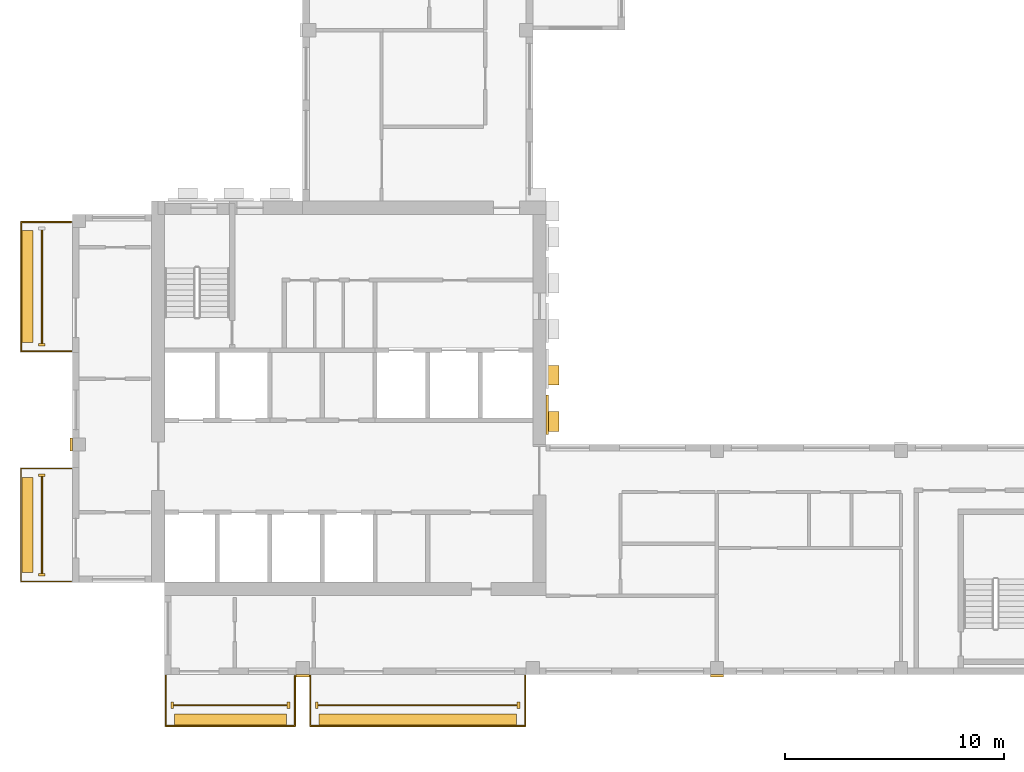
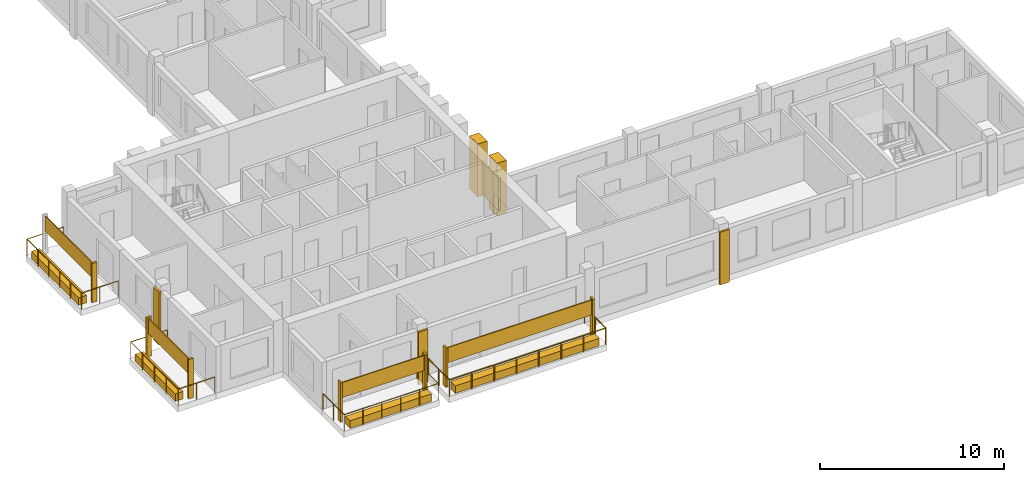
# One storey, part 7 of 10: 21 coverings, 4 railings.
"""IFC4 building model written with IfcOpenShell, lengths in metres."""

from ifc_helpers import new_model, si_unit, direction, frame, origin, origin_2d, place, context, subcontext, project, spatial, rectangle, circle, extrude, source, transform, mapped, material, type_object, element, save


model = new_model("IFC4")

# Units and contexts
model_context = context("Model", 3, precision=1e-05, world=origin(), true_north=direction((0.0, 1.0)))
body_context = subcontext(model_context, "Body", "Model", "MODEL_VIEW")
ifc_project = project(units=[si_unit("LENGTHUNIT", "METRE"), si_unit("AREAUNIT", "SQUARE_METRE"), si_unit("VOLUMEUNIT", "CUBIC_METRE"), si_unit("PLANEANGLEUNIT", "RADIAN"), si_unit("MASSUNIT", "GRAM", prefix="KILO")], contexts=[model_context])

# Site, building, storey
site_placement = place(None, origin())
site = spatial("IfcSite", under=ifc_project, at=site_placement, CompositionType="ELEMENT")
building_placement = place(site_placement, origin())
building = spatial("IfcBuilding", under=site, at=building_placement, Name="Aurelian Terraces", CompositionType="ELEMENT")
storey_placement = place(building_placement, frame((0.0, 0.0, 354.5)))
storey = spatial("IfcBuildingStorey", under=building, at=storey_placement, Name="L84", CompositionType="ELEMENT", Elevation=354.5)

# Coverings
ifc_material_1 = material(Name="Terracotta rainscreen cladding relief", Category="masonry")
covering_type_1 = type_object("IfcCoveringType", Name="FIN-TC", PredefinedType="CLADDING", material=ifc_material_1)
shared_shape_1 = source(origin(), body_context, "Body", "SweptSolid", [
    extrude(rectangle(XDim=0.3, YDim=0.12, at=origin_2d()), origin(), (0.0, 0.0, 1.0), 2.6),
])
for number, where, z_axis, x_axis, name in (
    (1, (-1.4, 15.05, 0.0), (0.0, 0.0, 1.0), (1.0, 0.0, 0.0), "FIN L84 L84-F12-20.2"),
    (2, (-1.4, 9.1, 0.0), (0.0, 0.0, 1.0), (1.0, 0.0, 0.0), "FIN L84 L84-F12-22.1"),
    (3, (-1.4, 4.55, 0.0), (0.0, 0.0, 1.0), (1.0, 0.0, 0.0), "FIN L84 L84-F12-22.2"),
):
    element("IfcCovering", number, at=place(storey_placement, frame(where, z_axis=z_axis, x_axis=x_axis)), inside=storey, type_object=covering_type_1, Name=name, PredefinedType="CLADDING", context=body_context, shape_type="MappedRepresentation", body=[
        mapped(shared_shape_1, transform((0.0, 0.0, 0.0), scale=1.0)),
    ])
shared_shape_2 = source(origin(), body_context, "Body", "SweptSolid", [
    extrude(rectangle(XDim=0.12, YDim=0.3, at=origin_2d()), origin(), (0.0, 0.0, 1.0), 2.6),
])
for number, where, z_axis, x_axis, name in (
    (4, (4.55, -1.4, 0.0), (0.0, 0.0, 1.0), (1.0, 0.0, 0.0), "FIN L84 L84-F01-01.1"),
    (5, (9.85, -1.4, 0.0), (0.0, 0.0, 1.0), (1.0, 0.0, 0.0), "FIN L84 L84-F01-01.2"),
    (6, (11.15, -1.4, 0.0), (0.0, 0.0, 1.0), (1.0, 0.0, 0.0), "FIN L84 L84-F01-02.1"),
    (7, (20.35, -1.4, 0.0), (0.0, 0.0, 1.0), (1.0, 0.0, 0.0), "FIN L84 L84-F01-02.2"),
):
    element("IfcCovering", number, at=place(storey_placement, frame(where, z_axis=z_axis, x_axis=x_axis)), inside=storey, type_object=covering_type_1, Name=name, PredefinedType="CLADDING", context=body_context, shape_type="MappedRepresentation", body=[
        mapped(shared_shape_2, transform((0.0, 0.0, 0.0), scale=1.0)),
    ])

# Railing
ifc_material_2 = material(Name="Anodised aluminium", Category="aluminium")
railing_type = type_object("IfcRailingType", Name="GUARD-1100", PredefinedType="GUARDRAIL", material=ifc_material_2)
shared_shape_3 = source(origin(), body_context, "Body", "SweptSolid", [
    extrude(circle(Radius=0.024, at=origin_2d()), frame((0.0, 0.0, 1.076), z_axis=(-1.0, 0.0, 0.0), x_axis=(0.0, -1.0, 0.0)), (0.0, 0.0, 1.0), 2.3),
    extrude(circle(Radius=0.024, at=origin_2d()), frame((-2.3, 0.0, 1.076), z_axis=(0.0, -1.0, 0.0), x_axis=(1.0, 0.0, 0.0)), (0.0, 0.0, 1.0), 5.15),
    extrude(circle(Radius=0.024, at=origin_2d()), frame((-2.3, -5.15, 1.076), z_axis=(1.0, 0.0, 0.0), x_axis=(0.0, 1.0, 0.0)), (0.0, 0.0, 1.0), 2.3),
    extrude(circle(Radius=0.021, at=origin_2d()), origin(), (0.0, 0.0, 1.0), 1.052),
    extrude(circle(Radius=0.021, at=origin_2d()), frame((-1.15, 0.0, 0.0)), (0.0, 0.0, 1.0), 1.052),
    extrude(circle(Radius=0.021, at=origin_2d()), frame((-2.3, 0.0, 0.0)), (0.0, 0.0, 1.0), 1.052),
    extrude(circle(Radius=0.021, at=origin_2d()), frame((-2.3, -1.2875, 0.0)), (0.0, 0.0, 1.0), 1.052),
    extrude(circle(Radius=0.021, at=origin_2d()), frame((-2.3, -2.575, 0.0)), (0.0, 0.0, 1.0), 1.052),
    extrude(circle(Radius=0.021, at=origin_2d()), frame((-2.3, -3.8625, 0.0)), (0.0, 0.0, 1.0), 1.052),
    extrude(circle(Radius=0.021, at=origin_2d()), frame((-2.3, -5.15, 0.0)), (0.0, 0.0, 1.0), 1.052),
    extrude(circle(Radius=0.021, at=origin_2d()), frame((-1.15, -5.15, 0.0)), (0.0, 0.0, 1.0), 1.052),
    extrude(circle(Radius=0.021, at=origin_2d()), frame((0.0, -5.15, 0.0)), (0.0, 0.0, 1.0), 1.052),
])
railing_1_placement = place(storey_placement, frame((-0.05, 9.4, 0.0)))
element("IfcRailing", 8, at=railing_1_placement, inside=storey, type_object=railing_type, Name="Balcony guard L84 F12.22", PredefinedType="GUARDRAIL", context=body_context, shape_type="MappedRepresentation", body=[
    mapped(shared_shape_3, transform((0.0, 0.0, 0.0), scale=1.0)),
])

# Coverings
ifc_material_3 = material(Name="Terracotta planter with planting soil", Category="masonry")
covering_type_2 = type_object("IfcCoveringType", Name="PLANTER-TROUGH", PredefinedType="USERDEFINED", material=ifc_material_3)
shared_shape_4 = source(origin(), body_context, "Body", "SweptSolid", [
    extrude(rectangle(XDim=0.5, YDim=4.35, at=origin_2d()), origin(), (0.0, 0.0, 1.0), 0.5),
])
covering_1_placement = place(storey_placement, frame((-2.05, 6.825, 0.0), z_axis=(0.0, 0.0, 1.0), x_axis=(1.0, 0.0, 0.0)))
element("IfcCovering", 9, at=covering_1_placement, inside=storey, type_object=covering_type_2, Name="PLANTER L84 L84-F12-22", ObjectType="PLANTER", PredefinedType="USERDEFINED", context=body_context, shape_type="MappedRepresentation", body=[
    mapped(shared_shape_4, transform((0.0, 0.0, 0.0), scale=1.0)),
])
ifc_material_4 = material(Name="Terracotta rainscreen cladding", Category="masonry")
covering_type_3 = type_object("IfcCoveringType", Name="SCREEN-TC", PredefinedType="CLADDING", material=ifc_material_4)
shared_shape_5 = source(origin(), body_context, "Body", "SweptSolid", [
    extrude(rectangle(XDim=0.06, YDim=4.43, at=origin_2d()), origin(), (0.0, 0.0, 1.0), 1.0),
])
covering_2_placement = place(storey_placement, frame((-1.4, 6.825, 1.5), z_axis=(0.0, 0.0, 1.0), x_axis=(1.0, 0.0, 0.0)))
element("IfcCovering", 10, at=covering_2_placement, inside=storey, type_object=covering_type_3, Name="SCREEN L84 L84-F12-22", PredefinedType="CLADDING", context=body_context, shape_type="MappedRepresentation", body=[
    mapped(shared_shape_5, transform((0.0, 0.0, 0.0), scale=1.0)),
])
ifc_material_5 = material(Name="Terracotta rainscreen cladding louvre blades", Category="masonry")
covering_type_4 = type_object("IfcCoveringType", Name="LOUVRE-TC", PredefinedType="CLADDING", material=ifc_material_5)
shared_shape_6 = source(origin(), body_context, "Body", "SweptSolid", [
    extrude(rectangle(XDim=0.12, YDim=1.8, at=origin_2d()), origin(), (0.0, 0.0, 1.0), 2.2),
])
covering_3_placement = place(storey_placement, frame((21.66, 11.85, 0.45), z_axis=(0.0, 0.0, 1.0), x_axis=(1.0, 0.0, 0.0)))
element("IfcCovering", 11, at=covering_3_placement, inside=storey, type_object=covering_type_4, Name="LOUVRE L84 core face E.1", PredefinedType="CLADDING", context=body_context, shape_type="MappedRepresentation", body=[
    mapped(shared_shape_6, transform((0.0, 0.0, 0.0), scale=1.0)),
])
covering_type_5 = type_object("IfcCoveringType", Name="BAGUETTE-TC", PredefinedType="CLADDING", material=ifc_material_1)
shared_shape_7 = source(origin(), body_context, "Body", "SweptSolid", [
    extrude(rectangle(XDim=0.6, YDim=0.12, at=origin_2d()), origin(), (0.0, 0.0, 1.0), 3.5),
])
for number, where, z_axis, x_axis, name in (
    (12, (10.5, -0.06, -0.4), (0.0, 0.0, 1.0), (1.0, 0.0, 0.0), "BAGUETTE pier L84 1"),
    (13, (29.4, -0.06, -0.4), (0.0, 0.0, 1.0), (1.0, 0.0, 0.0), "BAGUETTE pier L84 2"),
):
    element("IfcCovering", number, at=place(storey_placement, frame(where, z_axis=z_axis, x_axis=x_axis)), inside=storey, type_object=covering_type_5, Name=name, PredefinedType="CLADDING", context=body_context, shape_type="MappedRepresentation", body=[
        mapped(shared_shape_7, transform((0.0, 0.0, 0.0), scale=1.0)),
    ])
shared_shape_8 = source(origin(), body_context, "Body", "SweptSolid", [
    extrude(rectangle(XDim=0.12, YDim=0.6, at=origin_2d()), origin(), (0.0, 0.0, 1.0), 3.5),
])
covering_4_placement = place(storey_placement, frame((-0.06, 10.5, -0.4), z_axis=(0.0, 0.0, 1.0), x_axis=(1.0, 0.0, 0.0)))
element("IfcCovering", 14, at=covering_4_placement, inside=storey, type_object=covering_type_5, Name="BAGUETTE pier L84 5", PredefinedType="CLADDING", context=body_context, shape_type="MappedRepresentation", body=[
    mapped(shared_shape_8, transform((0.0, 0.0, 0.0), scale=1.0)),
])

# Railing
shared_shape_9 = source(origin(), body_context, "Body", "SweptSolid", [
    extrude(circle(Radius=0.024, at=origin_2d()), frame((0.0, 0.0, 1.076), z_axis=(0.0, -1.0, 0.0), x_axis=(1.0, 0.0, 0.0)), (0.0, 0.0, 1.0), 2.3),
    extrude(circle(Radius=0.024, at=origin_2d()), frame((0.0, -2.3, 1.076), z_axis=(1.0, 0.0, 0.0), x_axis=(0.0, 1.0, 0.0)), (0.0, 0.0, 1.0), 5.9),
    extrude(circle(Radius=0.024, at=origin_2d()), frame((5.9, -2.3, 1.076), z_axis=(0.0, 1.0, 0.0), x_axis=(-1.0, 0.0, 0.0)), (0.0, 0.0, 1.0), 2.3),
    extrude(circle(Radius=0.021, at=origin_2d()), origin(), (0.0, 0.0, 1.0), 1.052),
    extrude(circle(Radius=0.021, at=origin_2d()), frame((0.0, -1.15, 0.0)), (0.0, 0.0, 1.0), 1.052),
    extrude(circle(Radius=0.021, at=origin_2d()), frame((0.0, -2.3, 0.0)), (0.0, 0.0, 1.0), 1.052),
    extrude(circle(Radius=0.021, at=origin_2d()), frame((1.18, -2.3, 0.0)), (0.0, 0.0, 1.0), 1.052),
    extrude(circle(Radius=0.021, at=origin_2d()), frame((2.36, -2.3, 0.0)), (0.0, 0.0, 1.0), 1.052),
    extrude(circle(Radius=0.021, at=origin_2d()), frame((3.54, -2.3, 0.0)), (0.0, 0.0, 1.0), 1.052),
    extrude(circle(Radius=0.021, at=origin_2d()), frame((4.72, -2.3, 0.0)), (0.0, 0.0, 1.0), 1.052),
    extrude(circle(Radius=0.021, at=origin_2d()), frame((5.9, -2.3, 0.0)), (0.0, 0.0, 1.0), 1.052),
    extrude(circle(Radius=0.021, at=origin_2d()), frame((5.9, -1.15, 0.0)), (0.0, 0.0, 1.0), 1.052),
    extrude(circle(Radius=0.021, at=origin_2d()), frame((5.9, 0.0, 0.0)), (0.0, 0.0, 1.0), 1.052),
])
railing_2_placement = place(storey_placement, frame((4.25, -0.05, 0.0)))
element("IfcRailing", 15, at=railing_2_placement, inside=storey, type_object=railing_type, Name="Balcony guard L84 F01.1", PredefinedType="GUARDRAIL", context=body_context, shape_type="MappedRepresentation", body=[
    mapped(shared_shape_9, transform((0.0, 0.0, 0.0), scale=1.0)),
])

# Coverings
shared_shape_10 = source(origin(), body_context, "Body", "SweptSolid", [
    extrude(rectangle(XDim=5.1, YDim=0.5, at=origin_2d()), origin(), (0.0, 0.0, 1.0), 0.5),
])
covering_5_placement = place(storey_placement, frame((7.2, -2.05, 0.0), z_axis=(0.0, 0.0, 1.0), x_axis=(1.0, 0.0, 0.0)))
element("IfcCovering", 16, at=covering_5_placement, inside=storey, type_object=covering_type_2, Name="PLANTER L84 L84-F01-01", ObjectType="PLANTER", PredefinedType="USERDEFINED", context=body_context, shape_type="MappedRepresentation", body=[
    mapped(shared_shape_10, transform((0.0, 0.0, 0.0), scale=1.0)),
])
shared_shape_11 = source(origin(), body_context, "Body", "SweptSolid", [
    extrude(rectangle(XDim=5.18, YDim=0.06, at=origin_2d()), origin(), (0.0, 0.0, 1.0), 1.0),
])
covering_6_placement = place(storey_placement, frame((7.2, -1.4, 1.5), z_axis=(0.0, 0.0, 1.0), x_axis=(1.0, 0.0, 0.0)))
element("IfcCovering", 17, at=covering_6_placement, inside=storey, type_object=covering_type_3, Name="SCREEN L84 L84-F01-01", PredefinedType="CLADDING", context=body_context, shape_type="MappedRepresentation", body=[
    mapped(shared_shape_11, transform((0.0, 0.0, 0.0), scale=1.0)),
])

# Railing
shared_shape_12 = source(origin(), body_context, "Body", "SweptSolid", [
    extrude(circle(Radius=0.024, at=origin_2d()), frame((0.0, 0.0, 1.076), z_axis=(0.0, -1.0, 0.0), x_axis=(1.0, 0.0, 0.0)), (0.0, 0.0, 1.0), 2.3),
    extrude(circle(Radius=0.024, at=origin_2d()), frame((0.0, -2.3, 1.076), z_axis=(1.0, 0.0, 0.0), x_axis=(0.0, 1.0, 0.0)), (0.0, 0.0, 1.0), 9.8),
    extrude(circle(Radius=0.024, at=origin_2d()), frame((9.8, -2.3, 1.076), z_axis=(0.0, 1.0, 0.0), x_axis=(-1.0, 0.0, 0.0)), (0.0, 0.0, 1.0), 2.3),
    extrude(circle(Radius=0.021, at=origin_2d()), origin(), (0.0, 0.0, 1.0), 1.052),
    extrude(circle(Radius=0.021, at=origin_2d()), frame((0.0, -1.15, 0.0)), (0.0, 0.0, 1.0), 1.052),
    extrude(circle(Radius=0.021, at=origin_2d()), frame((0.0, -2.3, 0.0)), (0.0, 0.0, 1.0), 1.052),
    extrude(circle(Radius=0.021, at=origin_2d()), frame((1.4, -2.3, 0.0)), (0.0, 0.0, 1.0), 1.052),
    extrude(circle(Radius=0.021, at=origin_2d()), frame((2.8, -2.3, 0.0)), (0.0, 0.0, 1.0), 1.052),
    extrude(circle(Radius=0.021, at=origin_2d()), frame((4.2, -2.3, 0.0)), (0.0, 0.0, 1.0), 1.052),
    extrude(circle(Radius=0.021, at=origin_2d()), frame((5.6, -2.3, 0.0)), (0.0, 0.0, 1.0), 1.052),
    extrude(circle(Radius=0.021, at=origin_2d()), frame((7.0, -2.3, 0.0)), (0.0, 0.0, 1.0), 1.052),
    extrude(circle(Radius=0.021, at=origin_2d()), frame((8.4, -2.3, 0.0)), (0.0, 0.0, 1.0), 1.052),
    extrude(circle(Radius=0.021, at=origin_2d()), frame((9.8, -2.3, 0.0)), (0.0, 0.0, 1.0), 1.052),
    extrude(circle(Radius=0.021, at=origin_2d()), frame((9.8, -1.15, 0.0)), (0.0, 0.0, 1.0), 1.052),
    extrude(circle(Radius=0.021, at=origin_2d()), frame((9.8, 0.0, 0.0)), (0.0, 0.0, 1.0), 1.052),
])
railing_3_placement = place(storey_placement, frame((10.85, -0.05, 0.0)))
element("IfcRailing", 18, at=railing_3_placement, inside=storey, type_object=railing_type, Name="Balcony guard L84 F01.2", PredefinedType="GUARDRAIL", context=body_context, shape_type="MappedRepresentation", body=[
    mapped(shared_shape_12, transform((0.0, 0.0, 0.0), scale=1.0)),
])

# Coverings
shared_shape_13 = source(origin(), body_context, "Body", "SweptSolid", [
    extrude(rectangle(XDim=9.0, YDim=0.5, at=origin_2d()), origin(), (0.0, 0.0, 1.0), 0.5),
])
covering_7_placement = place(storey_placement, frame((15.75, -2.05, 0.0), z_axis=(0.0, 0.0, 1.0), x_axis=(1.0, 0.0, 0.0)))
element("IfcCovering", 19, at=covering_7_placement, inside=storey, type_object=covering_type_2, Name="PLANTER L84 L84-F01-02", ObjectType="PLANTER", PredefinedType="USERDEFINED", context=body_context, shape_type="MappedRepresentation", body=[
    mapped(shared_shape_13, transform((0.0, 0.0, 0.0), scale=1.0)),
])
shared_shape_14 = source(origin(), body_context, "Body", "SweptSolid", [
    extrude(rectangle(XDim=9.08, YDim=0.06, at=origin_2d()), origin(), (0.0, 0.0, 1.0), 1.0),
])
covering_8_placement = place(storey_placement, frame((15.75, -1.4, 1.5), z_axis=(0.0, 0.0, 1.0), x_axis=(1.0, 0.0, 0.0)))
element("IfcCovering", 20, at=covering_8_placement, inside=storey, type_object=covering_type_3, Name="SCREEN L84 L84-F01-02", PredefinedType="CLADDING", context=body_context, shape_type="MappedRepresentation", body=[
    mapped(shared_shape_14, transform((0.0, 0.0, 0.0), scale=1.0)),
])

# Railing
shared_shape_15 = source(origin(), body_context, "Body", "SweptSolid", [
    extrude(circle(Radius=0.024, at=origin_2d()), frame((0.0, 0.0, 1.076), z_axis=(-1.0, 0.0, 0.0), x_axis=(0.0, -1.0, 0.0)), (0.0, 0.0, 1.0), 2.3),
    extrude(circle(Radius=0.024, at=origin_2d()), frame((-2.3, 0.0, 1.076), z_axis=(0.0, -1.0, 0.0), x_axis=(1.0, 0.0, 0.0)), (0.0, 0.0, 1.0), 5.9),
    extrude(circle(Radius=0.024, at=origin_2d()), frame((-2.3, -5.9, 1.076), z_axis=(1.0, 0.0, 0.0), x_axis=(0.0, 1.0, 0.0)), (0.0, 0.0, 1.0), 2.3),
    extrude(circle(Radius=0.021, at=origin_2d()), origin(), (0.0, 0.0, 1.0), 1.052),
    extrude(circle(Radius=0.021, at=origin_2d()), frame((-1.15, 0.0, 0.0)), (0.0, 0.0, 1.0), 1.052),
    extrude(circle(Radius=0.021, at=origin_2d()), frame((-2.3, 0.0, 0.0)), (0.0, 0.0, 1.0), 1.052),
    extrude(circle(Radius=0.021, at=origin_2d()), frame((-2.3, -1.18, 0.0)), (0.0, 0.0, 1.0), 1.052),
    extrude(circle(Radius=0.021, at=origin_2d()), frame((-2.3, -2.36, 0.0)), (0.0, 0.0, 1.0), 1.052),
    extrude(circle(Radius=0.021, at=origin_2d()), frame((-2.3, -3.54, 0.0)), (0.0, 0.0, 1.0), 1.052),
    extrude(circle(Radius=0.021, at=origin_2d()), frame((-2.3, -4.72, 0.0)), (0.0, 0.0, 1.0), 1.052),
    extrude(circle(Radius=0.021, at=origin_2d()), frame((-2.3, -5.9, 0.0)), (0.0, 0.0, 1.0), 1.052),
    extrude(circle(Radius=0.021, at=origin_2d()), frame((-1.15, -5.9, 0.0)), (0.0, 0.0, 1.0), 1.052),
    extrude(circle(Radius=0.021, at=origin_2d()), frame((0.0, -5.9, 0.0)), (0.0, 0.0, 1.0), 1.052),
])
railing_4_placement = place(storey_placement, frame((-0.05, 20.65, 0.0)))
element("IfcRailing", 21, at=railing_4_placement, inside=storey, type_object=railing_type, Name="Balcony guard L84 F12.20", PredefinedType="GUARDRAIL", context=body_context, shape_type="MappedRepresentation", body=[
    mapped(shared_shape_15, transform((0.0, 0.0, 0.0), scale=1.0)),
])

# Coverings
shared_shape_16 = source(origin(), body_context, "Body", "SweptSolid", [
    extrude(rectangle(XDim=0.5, YDim=5.1, at=origin_2d()), origin(), (0.0, 0.0, 1.0), 0.5),
])
covering_9_placement = place(storey_placement, frame((-2.05, 17.7, 0.0), z_axis=(0.0, 0.0, 1.0), x_axis=(1.0, 0.0, 0.0)))
element("IfcCovering", 22, at=covering_9_placement, inside=storey, type_object=covering_type_2, Name="PLANTER L84 L84-F12-20", ObjectType="PLANTER", PredefinedType="USERDEFINED", context=body_context, shape_type="MappedRepresentation", body=[
    mapped(shared_shape_16, transform((0.0, 0.0, 0.0), scale=1.0)),
])
shared_shape_17 = source(origin(), body_context, "Body", "SweptSolid", [
    extrude(rectangle(XDim=0.06, YDim=5.18, at=origin_2d()), origin(), (0.0, 0.0, 1.0), 1.0),
])
covering_10_placement = place(storey_placement, frame((-1.4, 17.7, 1.5), z_axis=(0.0, 0.0, 1.0), x_axis=(1.0, 0.0, 0.0)))
element("IfcCovering", 23, at=covering_10_placement, inside=storey, type_object=covering_type_3, Name="SCREEN L84 L84-F12-20", PredefinedType="CLADDING", context=body_context, shape_type="MappedRepresentation", body=[
    mapped(shared_shape_17, transform((0.0, 0.0, 0.0), scale=1.0)),
])
covering_type_6 = type_object("IfcCoveringType", Name="Core spine pier 900x600", PredefinedType="CLADDING", material=ifc_material_1)
shared_shape_18 = source(origin(), body_context, "Body", "SweptSolid", [
    extrude(rectangle(XDim=0.6, YDim=0.9, at=origin_2d()), origin(), (0.0, 0.0, 1.0), 3.5),
])
for number, where, z_axis, x_axis, name in (
    (24, (21.9, 11.55, 0.0), (0.0, 0.0, 1.0), (1.0, 0.0, 0.0), "Spine pier L84 E1"),
    (25, (21.9, 13.65, 0.0), (0.0, 0.0, 1.0), (1.0, 0.0, 0.0), "Spine pier L84 E2"),
):
    element("IfcCovering", number, at=place(storey_placement, frame(where, z_axis=z_axis, x_axis=x_axis)), inside=storey, type_object=covering_type_6, Name=name, PredefinedType="CLADDING", context=body_context, shape_type="MappedRepresentation", body=[
        mapped(shared_shape_18, transform((0.0, 0.0, 0.0), scale=1.0)),
    ])

save(model, "model.ifc")
